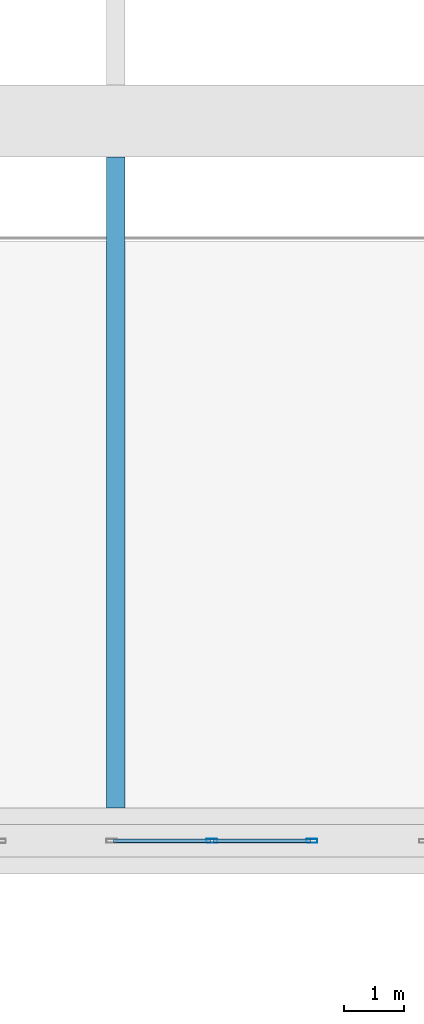
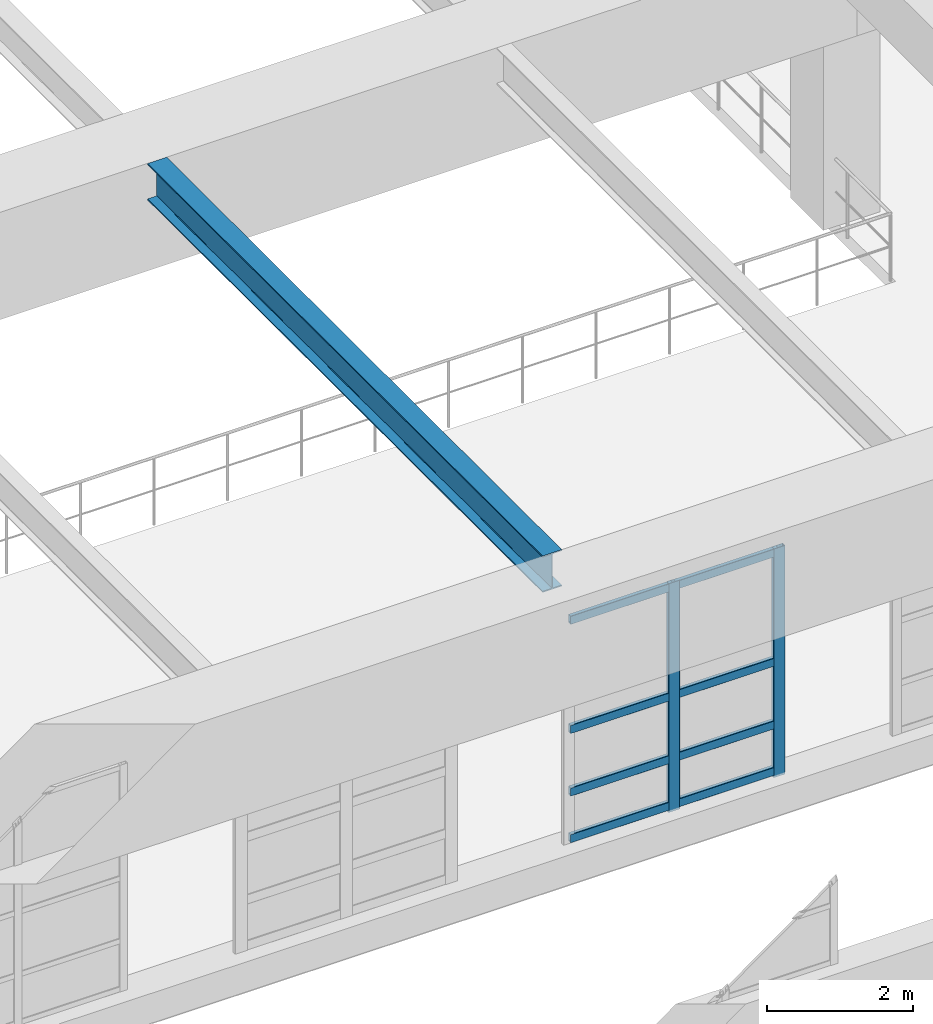
# One storey, part 35 of 197: 10 members, 1 beam, 1 element without a shape of its own.
"""IFC4 building model written with IfcOpenShell, lengths in metres."""

from ifc_helpers import new_model, si_unit, derived_unit, direction, frame, origin, origin_2d, place, context, subcontext, project, spatial, hollow_rectangle, i_section, extrude, material, layer, layer_set, material_profile, profile_set, type_object, element, aggregate, save


model = new_model("IFC4")

# Units and contexts
model_context = context("Model", 3, precision=1e-05, world=origin(), true_north=direction((0.0, 1.0)))
body_context = subcontext(model_context, "Body", "Model", "MODEL_VIEW")
ifc_project = project(units=[si_unit("LENGTHUNIT", "METRE"), si_unit("AREAUNIT", "SQUARE_METRE"), si_unit("VOLUMEUNIT", "CUBIC_METRE"), si_unit("PLANEANGLEUNIT", "RADIAN"), si_unit("MASSUNIT", "GRAM", prefix="KILO"), derived_unit("THERMALTRANSMITTANCEUNIT", [(si_unit("POWERUNIT", "WATT"), 1), (si_unit("LENGTHUNIT", "METRE"), -2), (si_unit("THERMODYNAMICTEMPERATUREUNIT", "KELVIN"), -1)])], contexts=[model_context])

# Site, building, storey
site_placement = place(None, origin())
site = spatial("IfcSite", under=ifc_project, at=site_placement, CompositionType="ELEMENT")
building_placement = place(site_placement, origin())
building = spatial("IfcBuilding", under=site, at=building_placement, Name="Almenara Railside Exhibition Hall", CompositionType="ELEMENT")
storey_placement = place(building_placement, frame((0.0, 0.0, 5.39990234375)))
storey = spatial("IfcBuildingStorey", under=building, at=storey_placement, Name="L01", CompositionType="ELEMENT", Elevation=5.39990234375)

# Curtain wall, members
ifc_material_1 = material(Name="Bronze-anodised aluminium and low-E double glazing", Category="aluminium")
ifc_layer = layer(ifc_material_1, 0.179931640625, Name="Bronze-anodised aluminium and low-E double glazing")
ifc_layer_set = layer_set([ifc_layer], Name="Bronze-anodised aluminium and low-E double glazing")
curtain_wall_type = type_object("IfcCurtainWallType", Name="Scroll Gable Mid Curtain Wall 3400x4400", PredefinedType="NOTDEFINED", material=ifc_layer_set)
curtain_wall_placement = place(storey_placement, origin())
curtain_wall = element("IfcCurtainWall", 1, at=curtain_wall_placement, inside=storey, type_object=curtain_wall_type, Name="Curtain wall CW-G3-029", PredefinedType="NOTDEFINED")
ifc_material_2 = material(Name="Bronze-anodised aluminium", Category="aluminium")
ifc_material_profile_1 = material_profile(ifc_material_2, hollow_rectangle(XDim=0.06494140625, YDim=0.179931640625, WallThickness=0.00390625, InnerFilletRadius=0.00390625, OuterFilletRadius=0.008056640625, at=origin_2d()), Name="ALU-MUL 65x180x4")
ifc_profile_set_1 = profile_set([ifc_material_profile_1], Name="Bronze-anodised aluminium")
member_type_1 = type_object("IfcMemberType", Name="Curtain Wall Mullion 65x180x4", PredefinedType="MULLION", material=ifc_profile_set_1)
member_1_placement = place(storey_placement, frame((46.10009765625, 48.0, 0.465087890625), z_axis=(0.0, 0.0, 1.0), x_axis=(0.0, 1.0, 0.0)))
member_1 = element("IfcMember", 2, at=member_1_placement, type_object=member_type_1, Name="CW-G3-029 mullion 2", PredefinedType="MULLION", context=body_context, shape_type="SweptSolid", body=[
    extrude(hollow_rectangle(XDim=0.06494140625, YDim=0.179931640625, WallThickness=0.00390625, InnerFilletRadius=0.00390625, OuterFilletRadius=0.008056640625, at=origin_2d()), origin(), (0.0, 0.0, 1.0), 3.8349609375),
])
member_2_placement = place(storey_placement, frame((47.767578125, 48.0, 0.465087890625), z_axis=(0.0, 0.0, 1.0), x_axis=(0.0, 1.0, 0.0)))
member_2 = element("IfcMember", 3, at=member_2_placement, type_object=member_type_1, Name="CW-G3-029 mullion 3", PredefinedType="MULLION", context=body_context, shape_type="SweptSolid", body=[
    extrude(hollow_rectangle(XDim=0.06494140625, YDim=0.179931640625, WallThickness=0.00390625, InnerFilletRadius=0.00390625, OuterFilletRadius=0.008056640625, at=origin_2d()), origin(), (0.0, 0.0, 1.0), 3.8349609375),
])
ifc_material_profile_2 = material_profile(ifc_material_2, hollow_rectangle(XDim=0.06494140625, YDim=0.139892578125, WallThickness=0.00341796875, InnerFilletRadius=0.00341796875, OuterFilletRadius=0.007080078125, at=origin_2d()), Name="ALU-TRN 65x140x3.5")
ifc_profile_set_2 = profile_set([ifc_material_profile_2], Name="Bronze-anodised aluminium")
member_type_2 = type_object("IfcMemberType", Name="Curtain Wall Transom 65x140x3.5", PredefinedType="USERDEFINED", material=ifc_profile_set_2)
member_3_placement = place(storey_placement, frame((44.45703125, 48.0, 0.570068359375), z_axis=(1.0, 0.0, 0.0), x_axis=(0.0, 1.0, 0.0)))
member_3 = element("IfcMember", 4, at=member_3_placement, type_object=member_type_2, Name="CW-G3-029 transom 1.1", ObjectType="TRANSOM", PredefinedType="USERDEFINED", context=body_context, shape_type="SweptSolid", body=[
    extrude(hollow_rectangle(XDim=0.06494140625, YDim=0.139892578125, WallThickness=0.00341796875, InnerFilletRadius=0.00341796875, OuterFilletRadius=0.007080078125, at=origin_2d()), origin(), (0.0, 0.0, 1.0), 1.618408203125),
])
member_4_placement = place(storey_placement, frame((44.45703125, 48.0, 1.35009765625), z_axis=(1.0, 0.0, 0.0), x_axis=(0.0, 1.0, 0.0)))
member_4 = element("IfcMember", 5, at=member_4_placement, type_object=member_type_2, Name="CW-G3-029 transom 1.2", ObjectType="TRANSOM", PredefinedType="USERDEFINED", context=body_context, shape_type="SweptSolid", body=[
    extrude(hollow_rectangle(XDim=0.06494140625, YDim=0.139892578125, WallThickness=0.00341796875, InnerFilletRadius=0.00341796875, OuterFilletRadius=0.007080078125, at=origin_2d()), origin(), (0.0, 0.0, 1.0), 1.618408203125),
])
member_5_placement = place(storey_placement, frame((44.45703125, 48.0, 2.400146484375), z_axis=(1.0, 0.0, 0.0), x_axis=(0.0, 1.0, 0.0)))
member_5 = element("IfcMember", 6, at=member_5_placement, type_object=member_type_2, Name="CW-G3-029 transom 1.3", ObjectType="TRANSOM", PredefinedType="USERDEFINED", context=body_context, shape_type="SweptSolid", body=[
    extrude(hollow_rectangle(XDim=0.06494140625, YDim=0.139892578125, WallThickness=0.00341796875, InnerFilletRadius=0.00341796875, OuterFilletRadius=0.007080078125, at=origin_2d()), origin(), (0.0, 0.0, 1.0), 1.618408203125),
])
member_6_placement = place(storey_placement, frame((44.45703125, 48.0, 4.22998046875), z_axis=(1.0, 0.0, 0.0), x_axis=(0.0, 1.0, 0.0)))
member_6 = element("IfcMember", 7, at=member_6_placement, type_object=member_type_2, Name="CW-G3-029 transom 1.4", ObjectType="TRANSOM", PredefinedType="USERDEFINED", context=body_context, shape_type="SweptSolid", body=[
    extrude(hollow_rectangle(XDim=0.06494140625, YDim=0.139892578125, WallThickness=0.00341796875, InnerFilletRadius=0.00341796875, OuterFilletRadius=0.007080078125, at=origin_2d()), origin(), (0.0, 0.0, 1.0), 1.618408203125),
])
member_7_placement = place(storey_placement, frame((46.12451171875, 48.0, 0.570068359375), z_axis=(1.0, 0.0, 0.0), x_axis=(0.0, 1.0, 0.0)))
member_7 = element("IfcMember", 8, at=member_7_placement, type_object=member_type_2, Name="CW-G3-029 transom 2.1", ObjectType="TRANSOM", PredefinedType="USERDEFINED", context=body_context, shape_type="SweptSolid", body=[
    extrude(hollow_rectangle(XDim=0.06494140625, YDim=0.139892578125, WallThickness=0.00341796875, InnerFilletRadius=0.00341796875, OuterFilletRadius=0.007080078125, at=origin_2d()), origin(), (0.0, 0.0, 1.0), 1.618408203125),
])
member_8_placement = place(storey_placement, frame((46.12451171875, 48.0, 1.35009765625), z_axis=(1.0, 0.0, 0.0), x_axis=(0.0, 1.0, 0.0)))
member_8 = element("IfcMember", 9, at=member_8_placement, type_object=member_type_2, Name="CW-G3-029 transom 2.2", ObjectType="TRANSOM", PredefinedType="USERDEFINED", context=body_context, shape_type="SweptSolid", body=[
    extrude(hollow_rectangle(XDim=0.06494140625, YDim=0.139892578125, WallThickness=0.00341796875, InnerFilletRadius=0.00341796875, OuterFilletRadius=0.007080078125, at=origin_2d()), origin(), (0.0, 0.0, 1.0), 1.618408203125),
])
member_9_placement = place(storey_placement, frame((46.12451171875, 48.0, 2.400146484375), z_axis=(1.0, 0.0, 0.0), x_axis=(0.0, 1.0, 0.0)))
member_9 = element("IfcMember", 10, at=member_9_placement, type_object=member_type_2, Name="CW-G3-029 transom 2.3", ObjectType="TRANSOM", PredefinedType="USERDEFINED", context=body_context, shape_type="SweptSolid", body=[
    extrude(hollow_rectangle(XDim=0.06494140625, YDim=0.139892578125, WallThickness=0.00341796875, InnerFilletRadius=0.00341796875, OuterFilletRadius=0.007080078125, at=origin_2d()), origin(), (0.0, 0.0, 1.0), 1.618408203125),
])
member_10_placement = place(storey_placement, frame((46.12451171875, 48.0, 4.22998046875), z_axis=(1.0, 0.0, 0.0), x_axis=(0.0, 1.0, 0.0)))
member_10 = element("IfcMember", 11, at=member_10_placement, type_object=member_type_2, Name="CW-G3-029 transom 2.4", ObjectType="TRANSOM", PredefinedType="USERDEFINED", context=body_context, shape_type="SweptSolid", body=[
    extrude(hollow_rectangle(XDim=0.06494140625, YDim=0.139892578125, WallThickness=0.00341796875, InnerFilletRadius=0.00341796875, OuterFilletRadius=0.007080078125, at=origin_2d()), origin(), (0.0, 0.0, 1.0), 1.618408203125),
])
aggregate(curtain_wall, [member_1, member_2, member_3, member_4, member_5, member_6, member_7, member_8, member_9, member_10])

# Beam
ifc_material_3 = material(Name="Structural steel S355JR", Category="steel")
ifc_material_profile_3 = material_profile(ifc_material_3, i_section(OverallWidth=0.3046875, OverallDepth=0.6123046875, WebThickness=0.01171875, FlangeThickness=0.019775390625, FilletRadius=0.0166015625, at=origin_2d()), Name="UB 610x305x149")
ifc_profile_set_3 = profile_set([ifc_material_profile_3], Name="Structural steel S355JR")
beam_type = type_object("IfcBeamType", Name="Steel Transfer Secondary Girder UB 610x305x149 S355JR", PredefinedType="USERDEFINED", material=ifc_profile_set_3)
beam_placement = place(storey_placement, frame((44.5, 48.550048828125, 4.68994140625), z_axis=(0.0, 1.0, 0.0), x_axis=(-1.0, 0.0, 0.0)))
element("IfcBeam", 12, at=beam_placement, inside=storey, type_object=beam_type, Name="Beam 0588", ObjectType="GIRDER", PredefinedType="USERDEFINED", context=body_context, shape_type="SweptSolid", body=[
    extrude(i_section(OverallWidth=0.3046875, OverallDepth=0.6123046875, WebThickness=0.01171875, FlangeThickness=0.019775390625, FilletRadius=0.0166015625, at=origin_2d()), origin(), (0.0, 0.0, 1.0), 10.849853515625),
])

save(model, "model.ifc")
